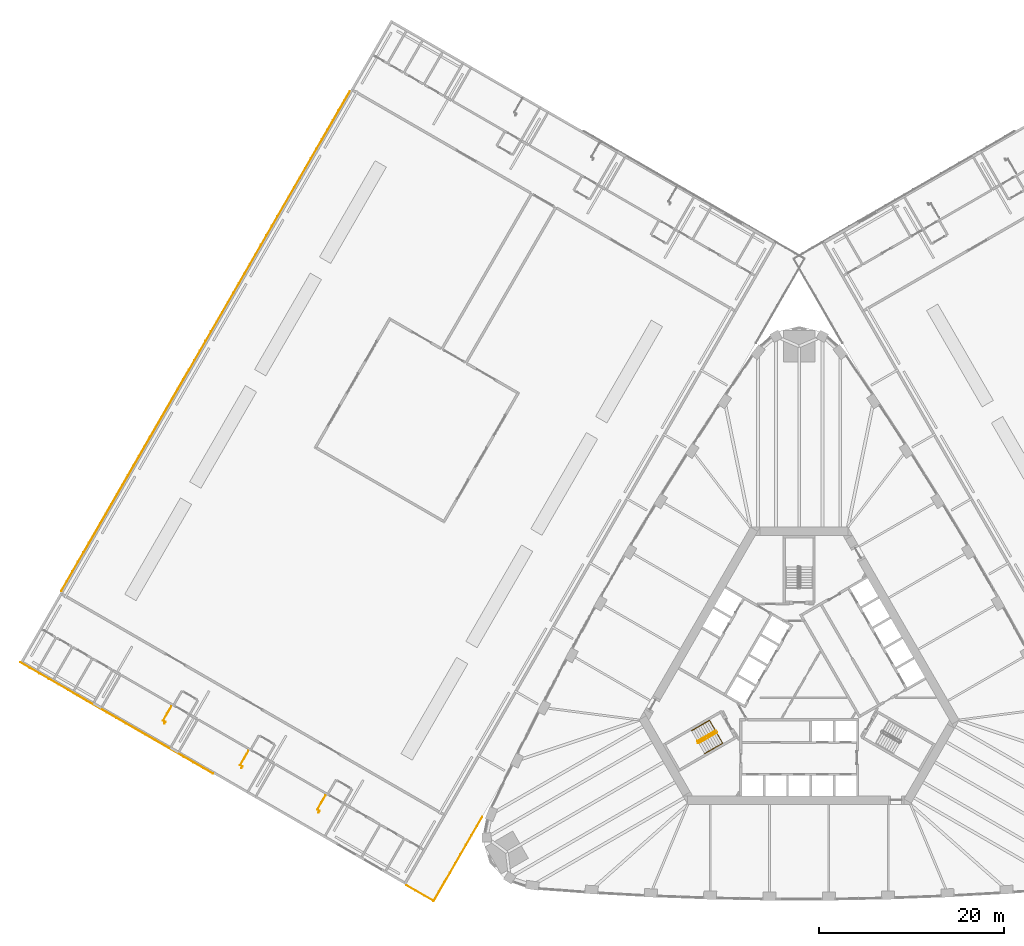
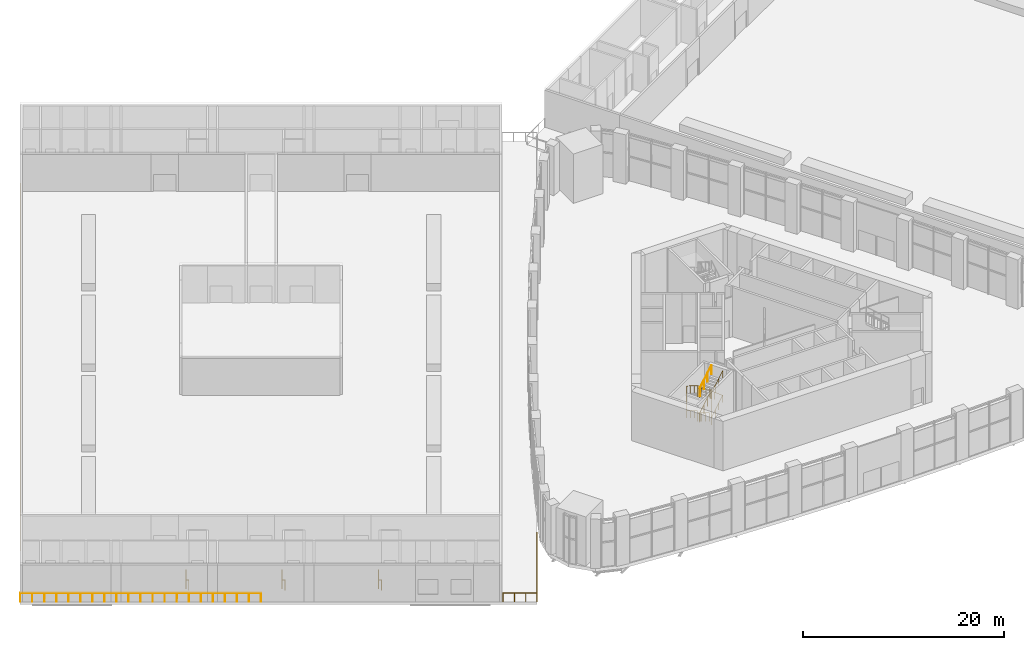
# One storey, part 36 of 41: 11 railings.
"""IFC4 building model written with IfcOpenShell, lengths in metres."""

from ifc_helpers import new_model, si_unit, direction, frame, origin, origin_2d, place, context, subcontext, project, spatial, circle, extrude, material, type_object, element, save


model = new_model("IFC4")

# Units and contexts
model_context = context("Model", 3, precision=1e-05, world=origin(), true_north=direction((0.0, 1.0)))
body_context = subcontext(model_context, "Body", "Model", "MODEL_VIEW")
ifc_project = project(units=[si_unit("LENGTHUNIT", "METRE"), si_unit("AREAUNIT", "SQUARE_METRE"), si_unit("VOLUMEUNIT", "CUBIC_METRE"), si_unit("PLANEANGLEUNIT", "RADIAN"), si_unit("MASSUNIT", "GRAM", prefix="KILO")], contexts=[model_context])

# Site, building, storey
site_placement = place(None, origin())
site = spatial("IfcSite", under=ifc_project, at=site_placement, CompositionType="ELEMENT")
building_placement = place(site_placement, origin())
building = spatial("IfcBuilding", under=site, at=building_placement, Name="Mestral Congress Tower", CompositionType="ELEMENT")
storey_placement = place(building_placement, frame((0.0, 0.0, 21.60009765625)))
storey = spatial("IfcBuildingStorey", under=building, at=storey_placement, Name="L04", CompositionType="ELEMENT", Elevation=21.60009765625)

# Railings
ifc_material_1 = material(Name="Steel balustrade", Category="steel")
railing_type_1 = type_object("IfcRailingType", Name="Podium deck guard 1100", PredefinedType="GUARDRAIL", material=ifc_material_1)
railing_1_placement = place(storey_placement, frame((-63.239013671875, -9.677001953125, 0.0)))
element("IfcRailing", 1, at=railing_1_placement, inside=storey, type_object=railing_type_1, Name="Garden deck guard", PredefinedType="GUARDRAIL", context=body_context, shape_type="SweptSolid", body=[
    extrude(circle(Radius=0.02392578125, at=origin_2d()), frame((0.0, 0.0, 1.076171875), z_axis=(-0.866023467695, 0.50000335339, 0.0), x_axis=(-0.50000335339, -0.866023467695, 0.0)), (0.0, 0.0, 1.0), 23.999755859375),
    extrude(circle(Radius=0.02099609375, at=origin_2d()), origin(), (0.0, 0.0, 1.0), 1.052001953125),
    extrude(circle(Radius=0.02099609375, at=origin_2d()), frame((-1.039306640625, 0.60009765625, 0.0)), (0.0, 0.0, 1.0), 1.052001953125),
    extrude(circle(Radius=0.02099609375, at=origin_2d()), frame((-2.078369140625, 1.199951171875, 0.0)), (0.0, 0.0, 1.0), 1.052001953125),
    extrude(circle(Radius=0.02099609375, at=origin_2d()), frame((-3.11767578125, 1.800048828125, 0.0)), (0.0, 0.0, 1.0), 1.052001953125),
    extrude(circle(Radius=0.02099609375, at=origin_2d()), frame((-4.156982421875, 2.39990234375, 0.0)), (0.0, 0.0, 1.0), 1.052001953125),
    extrude(circle(Radius=0.02099609375, at=origin_2d()), frame((-5.196044921875, 3.0, 0.0)), (0.0, 0.0, 1.0), 1.052001953125),
    extrude(circle(Radius=0.02099609375, at=origin_2d()), frame((-6.2353515625, 3.60009765625, 0.0)), (0.0, 0.0, 1.0), 1.052001953125),
    extrude(circle(Radius=0.02099609375, at=origin_2d()), frame((-7.274658203125, 4.199951171875, 0.0)), (0.0, 0.0, 1.0), 1.052001953125),
    extrude(circle(Radius=0.02099609375, at=origin_2d()), frame((-8.313720703125, 4.800048828125, 0.0)), (0.0, 0.0, 1.0), 1.052001953125),
    extrude(circle(Radius=0.02099609375, at=origin_2d()), frame((-9.35302734375, 5.39990234375, 0.0)), (0.0, 0.0, 1.0), 1.052001953125),
    extrude(circle(Radius=0.02099609375, at=origin_2d()), frame((-10.39208984375, 6.0, 0.0)), (0.0, 0.0, 1.0), 1.052001953125),
    extrude(circle(Radius=0.02099609375, at=origin_2d()), frame((-11.431396484375, 6.60009765625, 0.0)), (0.0, 0.0, 1.0), 1.052001953125),
    extrude(circle(Radius=0.02099609375, at=origin_2d()), frame((-12.470703125, 7.199951171875, 0.0)), (0.0, 0.0, 1.0), 1.052001953125),
    extrude(circle(Radius=0.02099609375, at=origin_2d()), frame((-13.509765625, 7.800048828125, 0.0)), (0.0, 0.0, 1.0), 1.052001953125),
    extrude(circle(Radius=0.02099609375, at=origin_2d()), frame((-14.549072265625, 8.39990234375, 0.0)), (0.0, 0.0, 1.0), 1.052001953125),
    extrude(circle(Radius=0.02099609375, at=origin_2d()), frame((-15.58837890625, 9.0, 0.0)), (0.0, 0.0, 1.0), 1.052001953125),
    extrude(circle(Radius=0.02099609375, at=origin_2d()), frame((-16.62744140625, 9.60009765625, 0.0)), (0.0, 0.0, 1.0), 1.052001953125),
    extrude(circle(Radius=0.02099609375, at=origin_2d()), frame((-17.666748046875, 10.199951171875, 0.0)), (0.0, 0.0, 1.0), 1.052001953125),
    extrude(circle(Radius=0.02099609375, at=origin_2d()), frame((-18.7060546875, 10.800048828125, 0.0)), (0.0, 0.0, 1.0), 1.052001953125),
    extrude(circle(Radius=0.02099609375, at=origin_2d()), frame((-19.7451171875, 11.39990234375, 0.0)), (0.0, 0.0, 1.0), 1.052001953125),
    extrude(circle(Radius=0.02099609375, at=origin_2d()), frame((-20.784423828125, 12.0, 0.0)), (0.0, 0.0, 1.0), 1.052001953125),
])
railing_2_placement = place(storey_placement, frame((-79.573486328125, 10.030517578125, 0.0)))
element("IfcRailing", 2, at=railing_2_placement, inside=storey, type_object=railing_type_1, Name="Garden deck guard", PredefinedType="GUARDRAIL", context=body_context, shape_type="SweptSolid", body=[
    extrude(circle(Radius=0.02392578125, at=origin_2d()), frame((0.0, 0.0, 1.076171875), z_axis=(0.500000041085, 0.866025380064, 0.0), x_axis=(-0.866025380064, 0.500000041085, 0.0)), (0.0, 0.0, 1.0), 62.2001953125),
    extrude(circle(Radius=0.02099609375, at=origin_2d()), origin(), (0.0, 0.0, 1.0), 1.052001953125),
    extrude(circle(Radius=0.02099609375, at=origin_2d()), frame((0.59814453125, 1.035888671875, 0.0)), (0.0, 0.0, 1.0), 1.052001953125),
    extrude(circle(Radius=0.02099609375, at=origin_2d()), frame((1.196044921875, 2.07177734375, 0.0)), (0.0, 0.0, 1.0), 1.052001953125),
    extrude(circle(Radius=0.02099609375, at=origin_2d()), frame((1.794189453125, 3.107666015625, 0.0)), (0.0, 0.0, 1.0), 1.052001953125),
    extrude(circle(Radius=0.02099609375, at=origin_2d()), frame((2.392333984375, 4.1435546875, 0.0)), (0.0, 0.0, 1.0), 1.052001953125),
    extrude(circle(Radius=0.02099609375, at=origin_2d()), frame((2.990478515625, 5.179443359375, 0.0)), (0.0, 0.0, 1.0), 1.052001953125),
    extrude(circle(Radius=0.02099609375, at=origin_2d()), frame((3.58837890625, 6.21533203125, 0.0)), (0.0, 0.0, 1.0), 1.052001953125),
    extrude(circle(Radius=0.02099609375, at=origin_2d()), frame((4.1865234375, 7.251220703125, 0.0)), (0.0, 0.0, 1.0), 1.052001953125),
    extrude(circle(Radius=0.02099609375, at=origin_2d()), frame((4.78466796875, 8.287109375, 0.0)), (0.0, 0.0, 1.0), 1.052001953125),
    extrude(circle(Radius=0.02099609375, at=origin_2d()), frame((5.3828125, 9.3232421875, 0.0)), (0.0, 0.0, 1.0), 1.052001953125),
    extrude(circle(Radius=0.02099609375, at=origin_2d()), frame((5.980712890625, 10.359130859375, 0.0)), (0.0, 0.0, 1.0), 1.052001953125),
    extrude(circle(Radius=0.02099609375, at=origin_2d()), frame((6.578857421875, 11.39501953125, 0.0)), (0.0, 0.0, 1.0), 1.052001953125),
    extrude(circle(Radius=0.02099609375, at=origin_2d()), frame((7.177001953125, 12.430908203125, 0.0)), (0.0, 0.0, 1.0), 1.052001953125),
    extrude(circle(Radius=0.02099609375, at=origin_2d()), frame((7.77490234375, 13.466796875, 0.0)), (0.0, 0.0, 1.0), 1.052001953125),
    extrude(circle(Radius=0.02099609375, at=origin_2d()), frame((8.373046875, 14.502685546875, 0.0)), (0.0, 0.0, 1.0), 1.052001953125),
    extrude(circle(Radius=0.02099609375, at=origin_2d()), frame((8.97119140625, 15.53857421875, 0.0)), (0.0, 0.0, 1.0), 1.052001953125),
    extrude(circle(Radius=0.02099609375, at=origin_2d()), frame((9.5693359375, 16.574462890625, 0.0)), (0.0, 0.0, 1.0), 1.052001953125),
    extrude(circle(Radius=0.02099609375, at=origin_2d()), frame((10.167236328125, 17.6103515625, 0.0)), (0.0, 0.0, 1.0), 1.052001953125),
    extrude(circle(Radius=0.02099609375, at=origin_2d()), frame((10.765380859375, 18.646240234375, 0.0)), (0.0, 0.0, 1.0), 1.052001953125),
    extrude(circle(Radius=0.02099609375, at=origin_2d()), frame((11.363525390625, 19.68212890625, 0.0)), (0.0, 0.0, 1.0), 1.052001953125),
    extrude(circle(Radius=0.02099609375, at=origin_2d()), frame((11.961669921875, 20.718017578125, 0.0)), (0.0, 0.0, 1.0), 1.052001953125),
    extrude(circle(Radius=0.02099609375, at=origin_2d()), frame((12.5595703125, 21.75390625, 0.0)), (0.0, 0.0, 1.0), 1.052001953125),
    extrude(circle(Radius=0.02099609375, at=origin_2d()), frame((13.15771484375, 22.789794921875, 0.0)), (0.0, 0.0, 1.0), 1.052001953125),
    extrude(circle(Radius=0.02099609375, at=origin_2d()), frame((13.755859375, 23.82568359375, 0.0)), (0.0, 0.0, 1.0), 1.052001953125),
    extrude(circle(Radius=0.02099609375, at=origin_2d()), frame((14.35400390625, 24.861572265625, 0.0)), (0.0, 0.0, 1.0), 1.052001953125),
    extrude(circle(Radius=0.02099609375, at=origin_2d()), frame((14.951904296875, 25.8974609375, 0.0)), (0.0, 0.0, 1.0), 1.052001953125),
    extrude(circle(Radius=0.02099609375, at=origin_2d()), frame((15.550048828125, 26.93359375, 0.0)), (0.0, 0.0, 1.0), 1.052001953125),
    extrude(circle(Radius=0.02099609375, at=origin_2d()), frame((16.148193359375, 27.969482421875, 0.0)), (0.0, 0.0, 1.0), 1.052001953125),
    extrude(circle(Radius=0.02099609375, at=origin_2d()), frame((16.74609375, 29.00537109375, 0.0)), (0.0, 0.0, 1.0), 1.052001953125),
    extrude(circle(Radius=0.02099609375, at=origin_2d()), frame((17.34423828125, 30.041259765625, 0.0)), (0.0, 0.0, 1.0), 1.052001953125),
    extrude(circle(Radius=0.02099609375, at=origin_2d()), frame((17.9423828125, 31.0771484375, 0.0)), (0.0, 0.0, 1.0), 1.052001953125),
    extrude(circle(Radius=0.02099609375, at=origin_2d()), frame((18.54052734375, 32.113037109375, 0.0)), (0.0, 0.0, 1.0), 1.052001953125),
    extrude(circle(Radius=0.02099609375, at=origin_2d()), frame((19.138427734375, 33.14892578125, 0.0)), (0.0, 0.0, 1.0), 1.052001953125),
    extrude(circle(Radius=0.02099609375, at=origin_2d()), frame((19.736572265625, 34.184814453125, 0.0)), (0.0, 0.0, 1.0), 1.052001953125),
    extrude(circle(Radius=0.02099609375, at=origin_2d()), frame((20.334716796875, 35.220703125, 0.0)), (0.0, 0.0, 1.0), 1.052001953125),
    extrude(circle(Radius=0.02099609375, at=origin_2d()), frame((20.932861328125, 36.256591796875, 0.0)), (0.0, 0.0, 1.0), 1.052001953125),
    extrude(circle(Radius=0.02099609375, at=origin_2d()), frame((21.53076171875, 37.29248046875, 0.0)), (0.0, 0.0, 1.0), 1.052001953125),
    extrude(circle(Radius=0.02099609375, at=origin_2d()), frame((22.12890625, 38.328369140625, 0.0)), (0.0, 0.0, 1.0), 1.052001953125),
    extrude(circle(Radius=0.02099609375, at=origin_2d()), frame((22.72705078125, 39.3642578125, 0.0)), (0.0, 0.0, 1.0), 1.052001953125),
    extrude(circle(Radius=0.02099609375, at=origin_2d()), frame((23.3251953125, 40.400146484375, 0.0)), (0.0, 0.0, 1.0), 1.052001953125),
    extrude(circle(Radius=0.02099609375, at=origin_2d()), frame((23.923095703125, 41.43603515625, 0.0)), (0.0, 0.0, 1.0), 1.052001953125),
    extrude(circle(Radius=0.02099609375, at=origin_2d()), frame((24.521240234375, 42.471923828125, 0.0)), (0.0, 0.0, 1.0), 1.052001953125),
    extrude(circle(Radius=0.02099609375, at=origin_2d()), frame((25.119384765625, 43.5078125, 0.0)), (0.0, 0.0, 1.0), 1.052001953125),
    extrude(circle(Radius=0.02099609375, at=origin_2d()), frame((25.71728515625, 44.543701171875, 0.0)), (0.0, 0.0, 1.0), 1.052001953125),
    extrude(circle(Radius=0.02099609375, at=origin_2d()), frame((26.3154296875, 45.579833984375, 0.0)), (0.0, 0.0, 1.0), 1.052001953125),
    extrude(circle(Radius=0.02099609375, at=origin_2d()), frame((26.91357421875, 46.61572265625, 0.0)), (0.0, 0.0, 1.0), 1.052001953125),
    extrude(circle(Radius=0.02099609375, at=origin_2d()), frame((27.51171875, 47.651611328125, 0.0)), (0.0, 0.0, 1.0), 1.052001953125),
    extrude(circle(Radius=0.02099609375, at=origin_2d()), frame((28.109619140625, 48.6875, 0.0)), (0.0, 0.0, 1.0), 1.052001953125),
    extrude(circle(Radius=0.02099609375, at=origin_2d()), frame((28.707763671875, 49.723388671875, 0.0)), (0.0, 0.0, 1.0), 1.052001953125),
    extrude(circle(Radius=0.02099609375, at=origin_2d()), frame((29.305908203125, 50.75927734375, 0.0)), (0.0, 0.0, 1.0), 1.052001953125),
    extrude(circle(Radius=0.02099609375, at=origin_2d()), frame((29.904052734375, 51.795166015625, 0.0)), (0.0, 0.0, 1.0), 1.052001953125),
    extrude(circle(Radius=0.02099609375, at=origin_2d()), frame((30.501953125, 52.8310546875, 0.0)), (0.0, 0.0, 1.0), 1.052001953125),
    extrude(circle(Radius=0.02099609375, at=origin_2d()), frame((31.10009765625, 53.866943359375, 0.0)), (0.0, 0.0, 1.0), 1.052001953125),
])
railing_3_placement = place(storey_placement, frame((-34.181884765625, -14.348876953125, 0.0)))
element("IfcRailing", 3, at=railing_3_placement, inside=storey, type_object=railing_type_1, Name="Garden deck guard", PredefinedType="GUARDRAIL", context=body_context, shape_type="SweptSolid", body=[
    extrude(circle(Radius=0.02392578125, at=origin_2d()), frame((0.0, 0.0, 1.076171875), z_axis=(-0.499996639036, -0.866027344229, 0.0), x_axis=(0.866027344229, -0.499996639036, 0.0)), (0.0, 0.0, 1.0), 10.482421875),
    extrude(circle(Radius=0.02392578125, at=origin_2d()), frame((-5.2412109375, -9.078125, 1.076171875), z_axis=(-0.866038511948, 0.499977295307, 0.0), x_axis=(-0.499977295307, -0.866038511948, 0.0)), (0.0, 0.0, 1.0), 3.400146484375),
    extrude(circle(Radius=0.02099609375, at=origin_2d()), origin(), (0.0, 0.0, 1.0), 1.052001953125),
    extrude(circle(Radius=0.02099609375, at=origin_2d()), frame((-0.582275390625, -1.0087890625, 0.0)), (0.0, 0.0, 1.0), 1.052001953125),
    extrude(circle(Radius=0.02099609375, at=origin_2d()), frame((-1.164794921875, -2.017333984375, 0.0)), (0.0, 0.0, 1.0), 1.052001953125),
    extrude(circle(Radius=0.02099609375, at=origin_2d()), frame((-1.7470703125, -3.026123046875, 0.0)), (0.0, 0.0, 1.0), 1.052001953125),
    extrude(circle(Radius=0.02099609375, at=origin_2d()), frame((-2.329345703125, -4.03466796875, 0.0)), (0.0, 0.0, 1.0), 1.052001953125),
    extrude(circle(Radius=0.02099609375, at=origin_2d()), frame((-2.911865234375, -5.04345703125, 0.0)), (0.0, 0.0, 1.0), 1.052001953125),
    extrude(circle(Radius=0.02099609375, at=origin_2d()), frame((-3.494140625, -6.052001953125, 0.0)), (0.0, 0.0, 1.0), 1.052001953125),
    extrude(circle(Radius=0.02099609375, at=origin_2d()), frame((-4.076416015625, -7.060791015625, 0.0)), (0.0, 0.0, 1.0), 1.052001953125),
    extrude(circle(Radius=0.02099609375, at=origin_2d()), frame((-4.658935546875, -8.0693359375, 0.0)), (0.0, 0.0, 1.0), 1.052001953125),
    extrude(circle(Radius=0.02099609375, at=origin_2d()), frame((-5.2412109375, -9.078125, 0.0)), (0.0, 0.0, 1.0), 1.052001953125),
    extrude(circle(Radius=0.02099609375, at=origin_2d()), frame((-6.22265625, -8.511474609375, 0.0)), (0.0, 0.0, 1.0), 1.052001953125),
    extrude(circle(Radius=0.02099609375, at=origin_2d()), frame((-7.204345703125, -7.94482421875, 0.0)), (0.0, 0.0, 1.0), 1.052001953125),
    extrude(circle(Radius=0.02099609375, at=origin_2d()), frame((-8.185791015625, -7.378173828125, 0.0)), (0.0, 0.0, 1.0), 1.052001953125),
])
railing_type_2 = type_object("IfcRailingType", Name="Podium stair guard 1100", PredefinedType="GUARDRAIL", material=ifc_material_1)
railing_4_placement = place(storey_placement, frame((-51.1064453125, -12.06298828125, 0.0)))
element("IfcRailing", 4, at=railing_4_placement, inside=storey, type_object=railing_type_2, Name="L04 PS-W4 top well guard 1", PredefinedType="GUARDRAIL", context=body_context, shape_type="SweptSolid", body=[
    extrude(circle(Radius=0.02392578125, at=origin_2d()), frame((0.0, 0.0, 1.076171875), z_axis=(-0.500040482552, -0.866002029911, 0.0), x_axis=(0.866002029911, -0.500040482552, 0.0)), (0.0, 0.0, 1.0), 1.749755859375),
    extrude(circle(Radius=0.02392578125, at=origin_2d()), frame((-0.875, -1.515380859375, 1.076171875), z_axis=(0.866059450854, -0.499941024108, 0.0), x_axis=(0.499941024108, 0.866059450854, 0.0)), (0.0, 0.0, 1.0), 0.2900390625),
    extrude(circle(Radius=0.02392578125, at=origin_2d()), frame((-0.623779296875, -1.660400390625, 1.076171875), z_axis=(-0.500074377092, -0.865982457891, 0.0), x_axis=(0.865982457891, -0.500074377092, 0.0)), (0.0, 0.0, 1.0), 0.2001953125),
    extrude(circle(Radius=0.02099609375, at=origin_2d()), origin(), (0.0, 0.0, 1.0), 1.052001953125),
    extrude(circle(Radius=0.02099609375, at=origin_2d()), frame((-0.4375, -0.7578125, 0.0)), (0.0, 0.0, 1.0), 1.052001953125),
    extrude(circle(Radius=0.02099609375, at=origin_2d()), frame((-0.875, -1.515380859375, 0.0)), (0.0, 0.0, 1.0), 1.052001953125),
    extrude(circle(Radius=0.02099609375, at=origin_2d()), frame((-0.623779296875, -1.660400390625, 0.0)), (0.0, 0.0, 1.0), 1.052001953125),
    extrude(circle(Radius=0.02099609375, at=origin_2d()), frame((-0.723876953125, -1.833740234375, 0.0)), (0.0, 0.0, 1.0), 1.052001953125),
])
railing_5_placement = place(storey_placement, frame((-59.420166015625, -7.262939453125, 0.0)))
element("IfcRailing", 5, at=railing_5_placement, inside=storey, type_object=railing_type_2, Name="L04 PS-W5 top well guard 1", PredefinedType="GUARDRAIL", context=body_context, shape_type="SweptSolid", body=[
    extrude(circle(Radius=0.02392578125, at=origin_2d()), frame((0.0, 0.0, 1.076171875), z_axis=(-0.499980071345, -0.866036909293, 0.0), x_axis=(0.866036909293, -0.499980071345, 0.0)), (0.0, 0.0, 1.0), 1.75),
    extrude(circle(Radius=0.02392578125, at=origin_2d()), frame((-0.875, -1.515625, 1.076171875), z_axis=(0.866213640852, -0.499673822009, 0.0), x_axis=(0.499673822009, 0.866213640852, 0.0)), (0.0, 0.0, 1.0), 0.289794921875),
    extrude(circle(Radius=0.02392578125, at=origin_2d()), frame((-0.6240234375, -1.660400390625, 1.076171875), z_axis=(-0.499158860599, -0.866510491504, 0.0), x_axis=(0.866510491504, -0.499158860599, 0.0)), (0.0, 0.0, 1.0), 0.199951171875),
    extrude(circle(Radius=0.02099609375, at=origin_2d()), origin(), (0.0, 0.0, 1.0), 1.052001953125),
    extrude(circle(Radius=0.02099609375, at=origin_2d()), frame((-0.4375, -0.7578125, 0.0)), (0.0, 0.0, 1.0), 1.052001953125),
    extrude(circle(Radius=0.02099609375, at=origin_2d()), frame((-0.875, -1.515625, 0.0)), (0.0, 0.0, 1.0), 1.052001953125),
    extrude(circle(Radius=0.02099609375, at=origin_2d()), frame((-0.6240234375, -1.660400390625, 0.0)), (0.0, 0.0, 1.0), 1.052001953125),
    extrude(circle(Radius=0.02099609375, at=origin_2d()), frame((-0.723876953125, -1.833740234375, 0.0)), (0.0, 0.0, 1.0), 1.052001953125),
])
railing_6_placement = place(storey_placement, frame((-67.734130859375, -2.462890625, 0.0)))
element("IfcRailing", 6, at=railing_6_placement, inside=storey, type_object=railing_type_2, Name="L04 PS-W6 top well guard 1", PredefinedType="GUARDRAIL", context=body_context, shape_type="SweptSolid", body=[
    extrude(circle(Radius=0.02392578125, at=origin_2d()), frame((0.0, 0.0, 1.076171875), z_axis=(-0.499980071345, -0.866036909293, 0.0), x_axis=(0.866036909293, -0.499980071345, 0.0)), (0.0, 0.0, 1.0), 1.75),
    extrude(circle(Radius=0.02392578125, at=origin_2d()), frame((-0.875, -1.515625, 1.076171875), z_axis=(0.866059450854, -0.499941024108, 0.0), x_axis=(0.499941024108, 0.866059450854, 0.0)), (0.0, 0.0, 1.0), 0.2900390625),
    extrude(circle(Radius=0.02392578125, at=origin_2d()), frame((-0.623779296875, -1.66064453125, 1.076171875), z_axis=(-0.500603037456, -0.865676959893, 0.0), x_axis=(0.865676959893, -0.500603037456, 0.0)), (0.0, 0.0, 1.0), 0.199951171875),
    extrude(circle(Radius=0.02099609375, at=origin_2d()), origin(), (0.0, 0.0, 1.0), 1.052001953125),
    extrude(circle(Radius=0.02099609375, at=origin_2d()), frame((-0.4375, -0.7578125, 0.0)), (0.0, 0.0, 1.0), 1.052001953125),
    extrude(circle(Radius=0.02099609375, at=origin_2d()), frame((-0.875, -1.515625, 0.0)), (0.0, 0.0, 1.0), 1.052001953125),
    extrude(circle(Radius=0.02099609375, at=origin_2d()), frame((-0.623779296875, -1.66064453125, 0.0)), (0.0, 0.0, 1.0), 1.052001953125),
    extrude(circle(Radius=0.02099609375, at=origin_2d()), frame((-0.723876953125, -1.833740234375, 0.0)), (0.0, 0.0, 1.0), 1.052001953125),
])
railing_type_3 = type_object("IfcRailingType", Name="Stair guard 1100", PredefinedType="GUARDRAIL", material=ifc_material_1)
railing_7_placement = place(storey_placement, frame((-9.02587890625, -5.066650390625, 0.16650390625)))
element("IfcRailing", 7, at=railing_7_placement, inside=storey, type_object=railing_type_3, Name="L04 ST3 stair guard 1", PredefinedType="GUARDRAIL", context=body_context, shape_type="SweptSolid", body=[
    extrude(circle(Radius=0.02392578125, at=origin_2d()), frame((0.0, 0.0, 1.076171875), z_axis=(-0.744138947067, -0.429663917587, 0.511513582794), x_axis=(0.500030632641, -0.866007717299, 0.0)), (0.0, 0.0, 1.0), 2.60693359375),
    extrude(circle(Radius=0.02392578125, at=origin_2d()), frame((-1.93994140625, -1.1201171875, 2.40966796875), z_axis=(0.274721127897, -0.961523947641, 0.0), x_axis=(0.961523947641, 0.274721127897, 0.0)), (0.0, 0.0, 1.0), 0.2060546875),
    extrude(circle(Radius=0.02099609375, at=origin_2d()), origin(), (0.0, 0.0, 1.0), 1.052001953125),
    extrude(circle(Radius=0.02099609375, at=origin_2d()), frame((-0.646728515625, -0.373291015625, 0.444580078125)), (0.0, 0.0, 1.0), 1.052001953125),
    extrude(circle(Radius=0.02099609375, at=origin_2d()), frame((-1.293212890625, -0.746826171875, 0.888916015625)), (0.0, 0.0, 1.0), 1.052001953125),
    extrude(circle(Radius=0.02099609375, at=origin_2d()), frame((-1.93994140625, -1.1201171875, 1.33349609375)), (0.0, 0.0, 1.0), 1.052001953125),
    extrude(circle(Radius=0.02099609375, at=origin_2d()), frame((-1.88330078125, -1.318359375, 1.33349609375)), (0.0, 0.0, 1.0), 1.052001953125),
])
railing_8_placement = place(storey_placement, frame((-10.8408203125, -6.4033203125, 1.66650390625)))
element("IfcRailing", 8, at=railing_8_placement, inside=storey, type_object=railing_type_3, Name="L04 ST3 stair guard 2", PredefinedType="GUARDRAIL", context=body_context, shape_type="SweptSolid", body=[
    extrude(circle(Radius=0.02392578125, at=origin_2d()), frame((0.0, 0.0, 1.076171875), z_axis=(0.744138947067, 0.429663917587, 0.511513582794), x_axis=(-0.500030632641, 0.866007717299, 0.0)), (0.0, 0.0, 1.0), 2.60693359375),
    extrude(circle(Radius=0.02392578125, at=origin_2d()), frame((1.93994140625, 1.1201171875, 2.40966796875), z_axis=(0.258736085224, 0.965948051503, 0.0), x_axis=(-0.965948051503, 0.258736085224, 0.0)), (0.0, 0.0, 1.0), 0.07080078125),
    extrude(circle(Radius=0.02392578125, at=origin_2d()), frame((1.958251953125, 1.1884765625, 2.40966796875), z_axis=(-0.499816412211, 0.866131372301, 0.0), x_axis=(-0.866131372301, -0.499816412211, 0.0)), (0.0, 0.0, 1.0), 0.14990234375),
    extrude(circle(Radius=0.02099609375, at=origin_2d()), origin(), (0.0, 0.0, 1.0), 1.052001953125),
    extrude(circle(Radius=0.02099609375, at=origin_2d()), frame((0.646728515625, 0.373291015625, 0.444580078125)), (0.0, 0.0, 1.0), 1.052001953125),
    extrude(circle(Radius=0.02099609375, at=origin_2d()), frame((1.293212890625, 0.746826171875, 0.888916015625)), (0.0, 0.0, 1.0), 1.052001953125),
    extrude(circle(Radius=0.02099609375, at=origin_2d()), frame((1.93994140625, 1.1201171875, 1.33349609375)), (0.0, 0.0, 1.0), 1.052001953125),
    extrude(circle(Radius=0.02099609375, at=origin_2d()), frame((1.958251953125, 1.1884765625, 1.33349609375)), (0.0, 0.0, 1.0), 1.052001953125),
    extrude(circle(Radius=0.02099609375, at=origin_2d()), frame((1.88330078125, 1.318359375, 1.33349609375)), (0.0, 0.0, 1.0), 1.052001953125),
])
railing_9_placement = place(storey_placement, frame((-9.02587890625, -5.066650390625, 3.16650390625)))
element("IfcRailing", 9, at=railing_9_placement, inside=storey, type_object=railing_type_3, Name="L04 ST3 stair guard 3", PredefinedType="GUARDRAIL", context=body_context, shape_type="SweptSolid", body=[
    extrude(circle(Radius=0.02392578125, at=origin_2d()), frame((0.0, 0.0, 1.076171875), z_axis=(-0.744138947067, -0.429663917587, 0.511513582794), x_axis=(0.500030632641, -0.866007717299, 0.0)), (0.0, 0.0, 1.0), 2.60693359375),
    extrude(circle(Radius=0.02392578125, at=origin_2d()), frame((-1.93994140625, -1.1201171875, 2.40966796875), z_axis=(0.274721127897, -0.961523947641, 0.0), x_axis=(0.961523947641, 0.274721127897, 0.0)), (0.0, 0.0, 1.0), 0.2060546875),
    extrude(circle(Radius=0.02099609375, at=origin_2d()), origin(), (0.0, 0.0, 1.0), 1.052001953125),
    extrude(circle(Radius=0.02099609375, at=origin_2d()), frame((-0.646728515625, -0.373291015625, 0.444580078125)), (0.0, 0.0, 1.0), 1.052001953125),
    extrude(circle(Radius=0.02099609375, at=origin_2d()), frame((-1.293212890625, -0.746826171875, 0.888916015625)), (0.0, 0.0, 1.0), 1.052001953125),
    extrude(circle(Radius=0.02099609375, at=origin_2d()), frame((-1.93994140625, -1.1201171875, 1.33349609375)), (0.0, 0.0, 1.0), 1.052001953125),
    extrude(circle(Radius=0.02099609375, at=origin_2d()), frame((-1.88330078125, -1.318359375, 1.33349609375)), (0.0, 0.0, 1.0), 1.052001953125),
])
railing_10_placement = place(storey_placement, frame((-10.8408203125, -6.4033203125, 4.66650390625)))
element("IfcRailing", 10, at=railing_10_placement, inside=storey, type_object=railing_type_3, Name="L04 ST3 stair guard 4", PredefinedType="GUARDRAIL", context=body_context, shape_type="SweptSolid", body=[
    extrude(circle(Radius=0.02392578125, at=origin_2d()), frame((0.0, 0.0, 1.076171875), z_axis=(0.744138947067, 0.429663917587, 0.511513582794), x_axis=(-0.500030632641, 0.866007717299, 0.0)), (0.0, 0.0, 1.0), 2.60693359375),
    extrude(circle(Radius=0.02099609375, at=origin_2d()), origin(), (0.0, 0.0, 1.0), 1.052001953125),
    extrude(circle(Radius=0.02099609375, at=origin_2d()), frame((0.646728515625, 0.373291015625, 0.444580078125)), (0.0, 0.0, 1.0), 1.052001953125),
    extrude(circle(Radius=0.02099609375, at=origin_2d()), frame((1.293212890625, 0.746826171875, 0.888916015625)), (0.0, 0.0, 1.0), 1.052001953125),
    extrude(circle(Radius=0.02099609375, at=origin_2d()), frame((1.93994140625, 1.1201171875, 1.33349609375)), (0.0, 0.0, 1.0), 1.052001953125),
])
ifc_material_2 = material(Name="Steel handrail", Category="steel")
railing_type_4 = type_object("IfcRailingType", Name="Stair handrail 900", PredefinedType="HANDRAIL", material=ifc_material_2)
railing_11_placement = place(storey_placement, frame((-9.67578125, -3.94091796875, 0.16650390625)))
element("IfcRailing", 11, at=railing_11_placement, inside=storey, type_object=railing_type_4, Name="L04 ST3 stair handrail 1", PredefinedType="HANDRAIL", context=body_context, shape_type="SweptSolid", body=[
    extrude(circle(Radius=0.02392578125, at=origin_2d()), frame((0.0, 0.0, 0.8759765625), z_axis=(-0.744138947067, -0.429663917587, 0.511513582794), x_axis=(0.500030632641, -0.866007717299, 0.0)), (0.0, 0.0, 1.0), 2.60693359375),
    extrude(circle(Radius=0.02392578125, at=origin_2d()), frame((-1.93994140625, -1.1201171875, 2.20947265625), z_axis=(0.0, 0.0, 1.0), x_axis=(1.0, 0.0, 0.0)), (0.0, 0.0, 1.0), 3.0),
    extrude(circle(Radius=0.02392578125, at=origin_2d()), frame((-1.93994140625, -1.1201171875, 5.20947265625), z_axis=(0.744138947067, 0.429663917587, -0.511513582794), x_axis=(-0.500030632641, 0.866007717299, 0.0)), (0.0, 0.0, 1.0), 2.60693359375),
    extrude(circle(Radius=0.02392578125, at=origin_2d()), frame((0.0, 0.0, 3.8759765625), z_axis=(0.499084011405, -0.864588648956, -0.058323388584), x_axis=(0.866062911188, 0.499935029643, 0.0)), (0.0, 0.0, 1.0), 2.854736328125),
    extrude(circle(Radius=0.02392578125, at=origin_2d()), frame((1.4248046875, -2.46826171875, 3.70947265625), z_axis=(-0.744127094489, -0.429617493068, -0.511569816249), x_axis=(0.49999608499, -0.866027664105, 0.0)), (0.0, 0.0, 1.0), 2.606689453125),
    extrude(circle(Radius=0.02392578125, at=origin_2d()), frame((-0.514892578125, -3.588134765625, 2.3759765625), z_axis=(0.0, 0.0, 1.0), x_axis=(1.0, 0.0, 0.0)), (0.0, 0.0, 1.0), 3.0),
    extrude(circle(Radius=0.02392578125, at=origin_2d()), frame((-0.514892578125, -3.588134765625, 5.3759765625), z_axis=(0.744127094489, 0.429617493068, 0.511569816249), x_axis=(-0.49999608499, 0.866027664105, 0.0)), (0.0, 0.0, 1.0), 2.606689453125),
    extrude(circle(Radius=0.02099609375, at=origin_2d()), origin(), (0.0, 0.0, 1.0), 0.851806640625),
    extrude(circle(Radius=0.02099609375, at=origin_2d()), frame((-0.646728515625, -0.373291015625, 0.444580078125)), (0.0, 0.0, 1.0), 0.851806640625),
    extrude(circle(Radius=0.02099609375, at=origin_2d()), frame((-1.293212890625, -0.746826171875, 0.888916015625)), (0.0, 0.0, 1.0), 0.851806640625),
    extrude(circle(Radius=0.02099609375, at=origin_2d()), frame((-1.93994140625, -1.1201171875, 1.33349609375)), (0.0, 0.0, 1.0), 0.851806640625),
    extrude(circle(Radius=0.02099609375, at=origin_2d()), frame((-1.93994140625, -1.1201171875, 2.33349609375)), (0.0, 0.0, 1.0), 0.851806640625),
    extrude(circle(Radius=0.02099609375, at=origin_2d()), frame((-1.93994140625, -1.1201171875, 3.33349609375)), (0.0, 0.0, 1.0), 0.851806640625),
    extrude(circle(Radius=0.02099609375, at=origin_2d()), frame((-1.93994140625, -1.1201171875, 4.33349609375)), (0.0, 0.0, 1.0), 0.851806640625),
    extrude(circle(Radius=0.02099609375, at=origin_2d()), frame((-1.293212890625, -0.746826171875, 3.888916015625)), (0.0, 0.0, 1.0), 0.851806640625),
    extrude(circle(Radius=0.02099609375, at=origin_2d()), frame((-0.646728515625, -0.373291015625, 3.444580078125)), (0.0, 0.0, 1.0), 0.851806640625),
    extrude(circle(Radius=0.02099609375, at=origin_2d()), frame((0.0, 0.0, 3.0)), (0.0, 0.0, 1.0), 0.851806640625),
    extrude(circle(Radius=0.02099609375, at=origin_2d()), frame((0.474853515625, -0.82275390625, 2.944580078125)), (0.0, 0.0, 1.0), 0.851806640625),
    extrude(circle(Radius=0.02099609375, at=origin_2d()), frame((0.949951171875, -1.6455078125, 2.888916015625)), (0.0, 0.0, 1.0), 0.851806640625),
    extrude(circle(Radius=0.02099609375, at=origin_2d()), frame((1.4248046875, -2.46826171875, 2.83349609375)), (0.0, 0.0, 1.0), 0.851806640625),
    extrude(circle(Radius=0.02099609375, at=origin_2d()), frame((0.7783203125, -2.841552734375, 2.388916015625)), (0.0, 0.0, 1.0), 0.851806640625),
    extrude(circle(Radius=0.02099609375, at=origin_2d()), frame((0.131591796875, -3.21484375, 1.944580078125)), (0.0, 0.0, 1.0), 0.851806640625),
    extrude(circle(Radius=0.02099609375, at=origin_2d()), frame((-0.514892578125, -3.588134765625, 1.5)), (0.0, 0.0, 1.0), 0.851806640625),
    extrude(circle(Radius=0.02099609375, at=origin_2d()), frame((-0.514892578125, -3.588134765625, 2.5)), (0.0, 0.0, 1.0), 0.851806640625),
    extrude(circle(Radius=0.02099609375, at=origin_2d()), frame((-0.514892578125, -3.588134765625, 3.5)), (0.0, 0.0, 1.0), 0.851806640625),
    extrude(circle(Radius=0.02099609375, at=origin_2d()), frame((-0.514892578125, -3.588134765625, 4.5)), (0.0, 0.0, 1.0), 0.851806640625),
    extrude(circle(Radius=0.02099609375, at=origin_2d()), frame((0.131591796875, -3.21484375, 4.944580078125)), (0.0, 0.0, 1.0), 0.851806640625),
    extrude(circle(Radius=0.02099609375, at=origin_2d()), frame((0.7783203125, -2.841552734375, 5.388916015625)), (0.0, 0.0, 1.0), 0.851806640625),
    extrude(circle(Radius=0.02099609375, at=origin_2d()), frame((1.4248046875, -2.46826171875, 5.83349609375)), (0.0, 0.0, 1.0), 0.851806640625),
])

save(model, "model.ifc")
